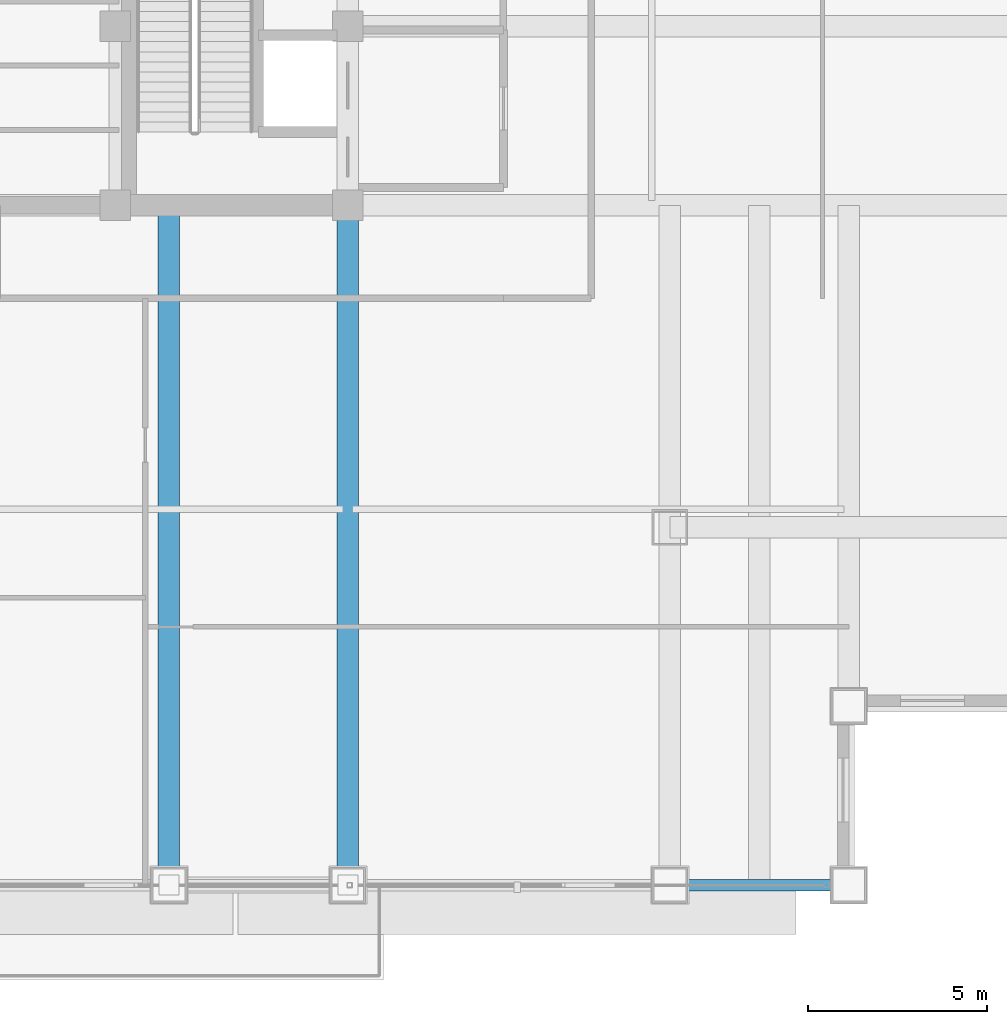
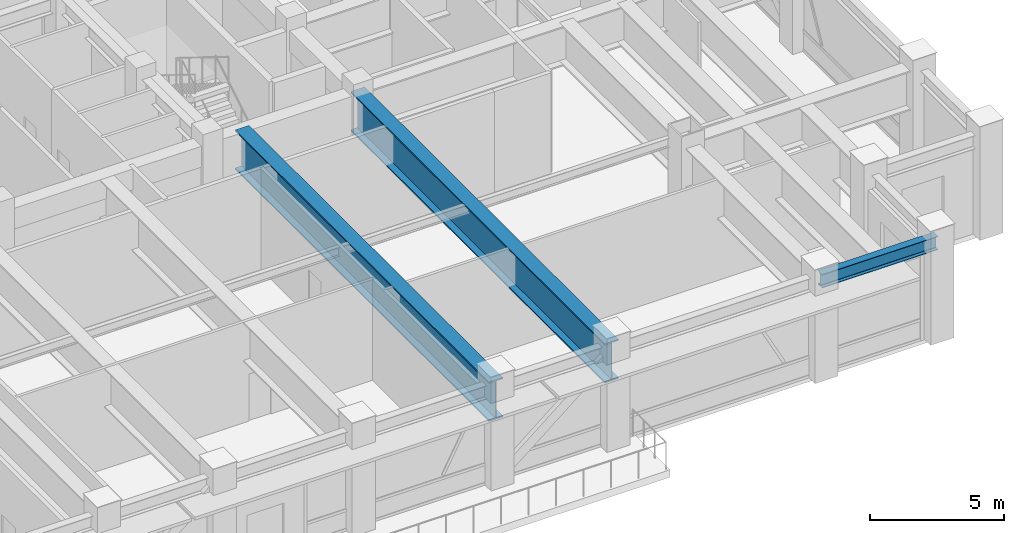
# One storey, part 9 of 33: 3 beams.
"""IFC4 building model written with IfcOpenShell, lengths in metres."""

from ifc_helpers import new_model, si_unit, direction, frame, origin, origin_2d, place, context, subcontext, project, spatial, i_section, extrude, source, transform, mapped, material, material_profile, profile_set, type_object, element, save


model = new_model("IFC4")

# Units and contexts
model_context = context("Model", 3, precision=1e-05, world=origin(), true_north=direction((0.0, 1.0)))
body_context = subcontext(model_context, "Body", "Model", "MODEL_VIEW")
ifc_project = project(units=[si_unit("LENGTHUNIT", "METRE"), si_unit("AREAUNIT", "SQUARE_METRE"), si_unit("VOLUMEUNIT", "CUBIC_METRE"), si_unit("PLANEANGLEUNIT", "RADIAN"), si_unit("MASSUNIT", "GRAM", prefix="KILO")], contexts=[model_context])

# Site, building, storey
site_placement = place(None, origin())
site = spatial("IfcSite", under=ifc_project, at=site_placement, CompositionType="ELEMENT")
building_placement = place(site_placement, origin())
building = spatial("IfcBuilding", under=site, at=building_placement, Name="Khorayat Bourse Tower", CompositionType="ELEMENT")
storey_placement = place(building_placement, frame((0.0, 0.0, 263.10009765625)))
storey = spatial("IfcBuildingStorey", under=building, at=storey_placement, Name="L62", CompositionType="ELEMENT", Elevation=263.10009765625)

# Beams
ifc_material_1 = material(Name="Steel ASTM A992 Grade 50", Category="steel")
ifc_material_profile_1 = material_profile(ifc_material_1, i_section(OverallWidth=0.324951171875, OverallDepth=0.615966796875, WebThickness=0.013916015625, FlangeThickness=0.021484375, FilletRadius=0.01611328125, at=origin_2d()), Name="W610X174")
ifc_profile_set_1 = profile_set([ifc_material_profile_1], Name="Steel ASTM A992 Grade 50")
beam_type_1 = type_object("IfcBeamType", Name="BM-SPAN-610", PredefinedType="SPANDREL", material=ifc_profile_set_1)
shared_shape_1 = source(origin(), body_context, "Body", "SweptSolid", [
    extrude(i_section(OverallWidth=0.324951171875, OverallDepth=0.615966796875, WebThickness=0.013916015625, FlangeThickness=0.021484375, FilletRadius=0.01611328125, at=origin_2d()), origin(), (0.0, 0.0, 1.0), 5.0),
])
beam_placement = place(storey_placement, frame((20.0, -30.0, 4.2919921875), z_axis=(1.0, 0.0, 0.0), x_axis=(0.0, 1.0, 0.0)))
element("IfcBeam", 1, at=beam_placement, inside=storey, type_object=beam_type_1, Name="L62 BM-SPAN-610 BM-L62-SPN-031", PredefinedType="SPANDREL", context=body_context, shape_type="MappedRepresentation", body=[
    mapped(shared_shape_1, transform((0.0, 0.0, 0.0), scale=1.0)),
])
ifc_material_2 = material(Name="Steel EN 10025-4 S460M", Category="steel")
ifc_material_profile_2 = material_profile(ifc_material_2, i_section(OverallWidth=0.60009765625, OverallDepth=1.800048828125, WebThickness=0.031982421875, FlangeThickness=0.06005859375, at=origin_2d()), Name="PG 1800x600x32x60")
ifc_profile_set_2 = profile_set([ifc_material_profile_2], Name="Steel EN 10025-4 S460M")
beam_type_2 = type_object("IfcBeamType", Name="BM-TR-1800", PredefinedType="BEAM", material=ifc_profile_set_2)
shared_shape_2 = source(origin(), body_context, "Body", "SweptSolid", [
    extrude(i_section(OverallWidth=0.60009765625, OverallDepth=1.800048828125, WebThickness=0.031982421875, FlangeThickness=0.06005859375, at=origin_2d()), origin(), (0.0, 0.0, 1.0), 19.0),
])
for number, where, z_axis, x_axis, name in (
    (2, (6.0, -30.0, 3.699951171875), (0.0, 1.0, 0.0), (-1.0, 0.0, 0.0), "L62 BM-TR-1800 BM-L62-RADY-071"),
    (3, (11.0, -30.0, 3.699951171875), (0.0, 1.0, 0.0), (-1.0, 0.0, 0.0), "L62 BM-TR-1800 BM-L62-RADY-073"),
):
    element("IfcBeam", number, at=place(storey_placement, frame(where, z_axis=z_axis, x_axis=x_axis)), inside=storey, type_object=beam_type_2, Name=name, PredefinedType="BEAM", context=body_context, shape_type="MappedRepresentation", body=[
        mapped(shared_shape_2, transform((0.0, 0.0, 0.0), scale=1.0)),
    ])

save(model, "model.ifc")
